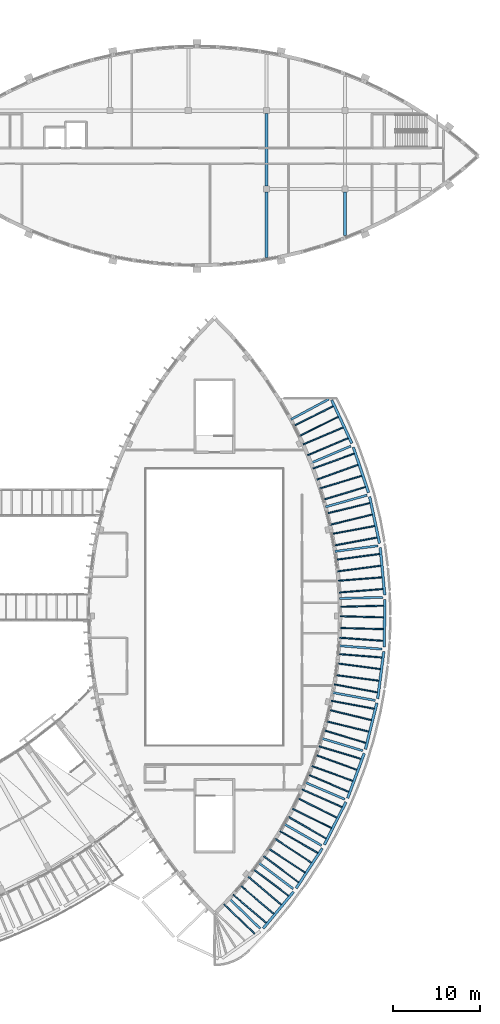
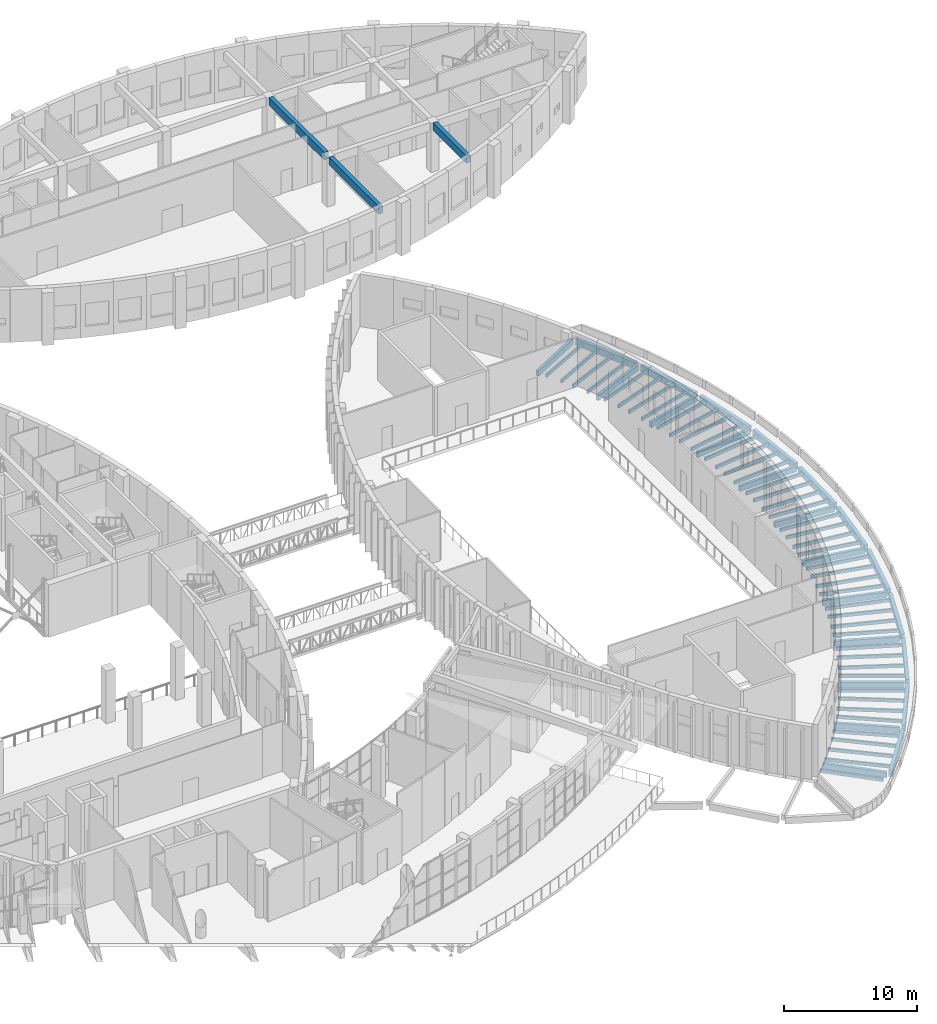
# One storey, part 39 of 93: 71 beams.
"""IFC4 building model written with IfcOpenShell, lengths in metres."""

import ifcopenshell
import ifcopenshell.guid

model = None  # the IFC model being written
_history = None  # IfcOwnerHistory: only IFC2X3 demands one
_inside = {}  # id of a spatial element -> (the spatial element, [elements in it])
_under = {}  # id of a project, library or spatial element -> (it, [spatial elements below it])
_declared = {}  # id of a project -> (the project, [libraries it declares])
_typed = {}  # id of a type object -> (the type object, [elements of that type])
_made_of = {}  # id of a material, layer set ... -> (it, [elements and type objects made of it])


def new_model(schema):
    """Start an empty IFC model of exactly this schema.

    Asked for "IFC4X3", IfcOpenShell would pick the latest addendum, in which some entities
    have other attributes; the version numbers below select the first issue.
    IFC2X3 requires an IfcOwnerHistory on every rooted entity: one is made here for all.
    """
    global model, _history
    if schema == "IFC4X3":
        model = ifcopenshell.file(schema_version=(4, 3, 0, 0))
    else:
        model = ifcopenshell.file(schema=schema)
    _inside.clear()
    _under.clear()
    _declared.clear()
    _typed.clear()
    _made_of.clear()
    _history = None
    if model.schema == "IFC2X3":
        org = make("IfcOrganization", Name="unknown")
        user = make(
            "IfcPersonAndOrganization",
            ThePerson=make("IfcPerson", FamilyName="unknown"),
            TheOrganization=org,
        )
        app = make(
            "IfcApplication",
            ApplicationDeveloper=org,
            Version="unknown",
            ApplicationFullName="unknown",
            ApplicationIdentifier="unknown",
        )
        _history = make(
            "IfcOwnerHistory",
            OwningUser=user,
            OwningApplication=app,
            ChangeAction="ADDED",
            CreationDate=0,
        )
    return model


def make(cls, **values):
    """One entity of the class cls with the attributes given. An attribute that is None is left unset."""
    return model.create_entity(
        cls, **{name: value for name, value in values.items() if value is not None}
    )


def rooted(cls, **values):
    """An entity with a GlobalId (a new one), such as an element, a storey or a relation."""
    return make(cls, GlobalId=ifcopenshell.guid.new(), OwnerHistory=_history, **values)


def si_unit(unit_type, name, prefix=None):
    """IfcSIUnit, for example si_unit("LENGTHUNIT", "METRE", prefix="MILLI")."""
    return make("IfcSIUnit", UnitType=unit_type, Prefix=prefix, Name=name)


def assignment(units):
    """IfcUnitAssignment: the units of a project."""
    return None if units is None else make("IfcUnitAssignment", Units=units)


def point(xyz):
    """IfcCartesianPoint."""
    return None if xyz is None else make("IfcCartesianPoint", Coordinates=xyz)


def direction(xyz):
    """IfcDirection."""
    return None if xyz is None else make("IfcDirection", DirectionRatios=xyz)


def frame(location, z_axis=None, x_axis=None):
    """IfcAxis2Placement3D, a coordinate frame: its origin and axes. An axis left out is left unset."""
    return make(
        "IfcAxis2Placement3D",
        Location=point(location),
        Axis=direction(z_axis),
        RefDirection=direction(x_axis),
    )


def frame_2d(location, x_axis=None):
    """IfcAxis2Placement2D, a coordinate frame in the plane: its origin and x axis."""
    return make(
        "IfcAxis2Placement2D", Location=point(location), RefDirection=direction(x_axis)
    )


def origin():
    """The frame at (0, 0, 0) with its axes left unset."""
    return frame((0.0, 0.0, 0.0))


def origin_2d():
    """The frame at (0, 0) in the plane with its x axis left unset."""
    return frame_2d((0.0, 0.0))


def place(relative_to, where):
    """IfcLocalPlacement: puts the frame where relative to a parent placement (None: the world)."""
    return make(
        "IfcLocalPlacement", PlacementRelTo=relative_to, RelativePlacement=where
    )


def context(
    kind, dimensions, precision=None, world=None, true_north=None, identifier=None
):
    """IfcGeometricRepresentationContext, for example the 3D "Model" context."""
    return make(
        "IfcGeometricRepresentationContext",
        ContextIdentifier=identifier,
        ContextType=kind,
        CoordinateSpaceDimension=dimensions,
        Precision=precision,
        WorldCoordinateSystem=world,
        TrueNorth=true_north,
    )


def subcontext(parent, identifier, kind, view, scale=None):
    """IfcGeometricRepresentationSubContext, for example "Body" below "Model"."""
    return make(
        "IfcGeometricRepresentationSubContext",
        ContextIdentifier=identifier,
        ContextType=kind,
        ParentContext=parent,
        TargetScale=scale,
        TargetView=view,
    )


def project(units=None, contexts=None):
    """IfcProject with its units and contexts."""
    return rooted(
        "IfcProject",
        Name="project",
        RepresentationContexts=contexts,
        UnitsInContext=assignment(units),
    )


def spatial(cls, under=None, at=None, **own):
    """A site, building, storey or space (cls), placed at a placement, below another one or the project."""
    s = rooted(cls, ObjectPlacement=at, **own)
    if under is not None:
        _under.setdefault(under.id(), (under, []))[1].append(s)
    return s


def profile(cls, at=None, kind="AREA", **sizes):
    """A parametric profile (cls). Its sizes go by their IFC names, for example OverallWidth=200.0."""
    return make(cls, ProfileType=kind, Position=at, **sizes)


def rectangle(**sizes):
    """IfcRectangleProfileDef."""
    return profile("IfcRectangleProfileDef", **sizes)


def extrude(swept, where, along, depth):
    """IfcExtrudedAreaSolid: the profile swept, set in the frame where, extruded along a direction by depth."""
    return make(
        "IfcExtrudedAreaSolid",
        SweptArea=swept,
        Position=where,
        ExtrudedDirection=direction(along),
        Depth=depth,
    )


def shape(context_of_items, identifier, shape_type, items):
    """IfcShapeRepresentation: the items that make up one representation, for example the "Body"."""
    return make(
        "IfcShapeRepresentation",
        ContextOfItems=context_of_items,
        RepresentationIdentifier=identifier,
        RepresentationType=shape_type,
        Items=items,
    )


def material(Name=None, Category=None):
    """IfcMaterial."""
    return make("IfcMaterial", Name=Name, Category=Category)


def material_profile(
    of_material, cross_section, Name=None, Category=None, Priority=None
):
    """IfcMaterialProfile: a cross section and its material."""
    return make(
        "IfcMaterialProfile",
        Name=Name,
        Material=of_material,
        Profile=cross_section,
        Priority=Priority,
        Category=Category,
    )


def profile_set(profiles, Name=None, composite=None):
    """IfcMaterialProfileSet."""
    return make(
        "IfcMaterialProfileSet",
        Name=Name,
        MaterialProfiles=profiles,
        CompositeProfile=composite,
    )


def made_of(thing, what):
    """Note that an element or type object is made of a material, layer set ...; save() writes the relation."""
    if what is not None:
        _made_of.setdefault(what.id(), (what, []))[1].append(thing)
    return thing


def type_object(cls, material=None, **own):
    """A type object (cls), such as IfcWallType, which elements share."""
    return made_of(rooted(cls, **own), material)


def element(
    cls,
    number,
    at=None,
    inside=None,
    cuts=None,
    type_object=None,
    material=None,
    context=None,
    identifier="Body",
    shape_type=None,
    held_by="IfcProductDefinitionShape",
    body=None,
    shapes=None,
    **own,
):
    """One element of the class cls, such as IfcWall. Its Tag is "e" and its number.

    at: its placement. inside: the storey or other place that contains it. cuts: it is an
    opening in that element (IfcRelVoidsElement). A single representation is given by context,
    identifier, shape_type and body (its items); several are given by shapes. held_by: the class
    of the entity that holds the representations. save() writes the other relations.
    """
    e = rooted(cls, Tag="e%d" % number, ObjectPlacement=at, **own)
    if body is not None:
        shapes = [shape(context, identifier, shape_type, body)]
    if shapes is not None:
        e.Representation = make(held_by, Representations=shapes)
    if inside is not None:
        _inside.setdefault(inside.id(), (inside, []))[1].append(e)
    if cuts is not None:
        rooted(
            "IfcRelVoidsElement", RelatingBuildingElement=cuts, RelatedOpeningElement=e
        )
    if type_object is not None:
        _typed.setdefault(type_object.id(), (type_object, []))[1].append(e)
    return made_of(e, material)


def aggregate(whole, parts):
    """IfcRelAggregates: a whole, such as a stair, and the parts it consists of."""
    return rooted("IfcRelAggregates", RelatingObject=whole, RelatedObjects=parts)


def save(model, path):
    """Write the relations noted so far, then the file.

    IfcRelAggregates (storeys below a building ...), IfcRelContainedInSpatialStructure (elements
    in a storey), IfcRelDefinesByType, IfcRelAssociatesMaterial and IfcRelDeclares: one each for
    every whole, place, type object, material and project.
    """
    for whole, parts in _under.values():
        aggregate(whole, parts)
    for where, things in _inside.values():
        rooted(
            "IfcRelContainedInSpatialStructure",
            RelatedElements=things,
            RelatingStructure=where,
        )
    for kind, things in _typed.values():
        rooted("IfcRelDefinesByType", RelatedObjects=things, RelatingType=kind)
    for what, things in _made_of.values():
        rooted("IfcRelAssociatesMaterial", RelatedObjects=things, RelatingMaterial=what)
    for by, libraries in _declared.values():
        rooted("IfcRelDeclares", RelatingContext=by, RelatedDefinitions=libraries)
    model.write(path)


model = new_model("IFC4")

# Units and contexts
model_context = context("Model", 3, precision=1e-05, world=origin(), true_north=direction((0.0, 1.0)))
body_context = subcontext(model_context, "Body", "Model", "MODEL_VIEW")
ifc_project = project(units=[si_unit("LENGTHUNIT", "METRE"), si_unit("AREAUNIT", "SQUARE_METRE"), si_unit("VOLUMEUNIT", "CUBIC_METRE"), si_unit("PLANEANGLEUNIT", "RADIAN"), si_unit("MASSUNIT", "GRAM", prefix="KILO")], contexts=[model_context])

# Site, building, storey
site_placement = place(None, origin())
site = spatial("IfcSite", under=ifc_project, at=site_placement, CompositionType="ELEMENT")
building_placement = place(site_placement, origin())
building = spatial("IfcBuilding", under=site, at=building_placement, Name="Tide Square Theatres", CompositionType="ELEMENT")
storey_placement = place(building_placement, frame((0.0, 0.0, 5.39990234375)))
storey = spatial("IfcBuildingStorey", under=building, at=storey_placement, Name="L01", CompositionType="ELEMENT", Elevation=5.39990234375)

# Beams
ifc_material_1 = material(Name="Concrete C35", Category="concrete")
ifc_material_profile_1 = material_profile(ifc_material_1, rectangle(XDim=0.14990234375, YDim=0.300048828125, at=origin_2d()))
ifc_profile_set_1 = profile_set([ifc_material_profile_1], Name="Concrete C35")
beam_type_1 = type_object("IfcBeamType", Name="RC arcade roof rib 150 x 300", PredefinedType="JOIST", material=ifc_profile_set_1)
beam_1_placement = place(storey_placement, frame((136.60400390625, 8.51318359375, -0.349853515625), z_axis=(-0.717715039572, 0.696336931357, 0.0), x_axis=(-0.696336931357, -0.717715039572, 0.0)))
element("IfcBeam", 1, at=beam_1_placement, inside=storey, type_object=beam_type_1, Name="Arcade roof rib", PredefinedType="JOIST", context=body_context, shape_type="SweptSolid", body=[
    extrude(rectangle(XDim=0.14990234375, YDim=0.300048828125, at=origin_2d()), origin(), (0.0, 0.0, 1.0), 4.8876953125),
])
beam_2_placement = place(storey_placement, frame((137.9365234375, 9.762451171875, -0.349853515625), z_axis=(-0.760416878681, 0.649435270537, 0.0), x_axis=(-0.649435270537, -0.760416878681, 0.0)))
element("IfcBeam", 2, at=beam_2_placement, inside=storey, type_object=beam_type_1, Name="Arcade roof rib", PredefinedType="JOIST", context=body_context, shape_type="SweptSolid", body=[
    extrude(rectangle(XDim=0.14990234375, YDim=0.300048828125, at=origin_2d()), origin(), (0.0, 0.0, 1.0), 5.000244140625),
])
beam_3_placement = place(storey_placement, frame((138.796875, 10.802734375, -0.349853515625), z_axis=(-0.760411515732, 0.649441549904, 0.0), x_axis=(-0.649441549904, -0.760411515732, 0.0)))
element("IfcBeam", 3, at=beam_3_placement, inside=storey, type_object=beam_type_1, Name="Arcade roof rib", PredefinedType="JOIST", context=body_context, shape_type="SweptSolid", body=[
    extrude(rectangle(XDim=0.14990234375, YDim=0.300048828125, at=origin_2d()), origin(), (0.0, 0.0, 1.0), 4.978759765625),
])
beam_4_placement = place(storey_placement, frame((139.6572265625, 11.843017578125, -0.349853515625), z_axis=(-0.760406106264, 0.649447883634, 0.0), x_axis=(-0.649447883634, -0.760406106264, 0.0)))
element("IfcBeam", 4, at=beam_4_placement, inside=storey, type_object=beam_type_1, Name="Arcade roof rib", PredefinedType="JOIST", context=body_context, shape_type="SweptSolid", body=[
    extrude(rectangle(XDim=0.14990234375, YDim=0.300048828125, at=origin_2d()), origin(), (0.0, 0.0, 1.0), 4.957275390625),
])
beam_5_placement = place(storey_placement, frame((140.511962890625, 12.8759765625, -0.349853515625), z_axis=(-0.799426037712, 0.600764521446, 0.0), x_axis=(-0.600764521446, -0.799426037712, 0.0)))
element("IfcBeam", 5, at=beam_5_placement, inside=storey, type_object=beam_type_1, Name="Arcade roof rib", PredefinedType="JOIST", context=body_context, shape_type="SweptSolid", body=[
    extrude(rectangle(XDim=0.14990234375, YDim=0.300048828125, at=origin_2d()), origin(), (0.0, 0.0, 1.0), 5.00537109375),
])
beam_6_placement = place(storey_placement, frame((141.6494140625, 14.4189453125, -0.349853515625), z_axis=(-0.79943575373, 0.600751592305, 0.0), x_axis=(-0.600751592305, -0.79943575373, 0.0)))
element("IfcBeam", 6, at=beam_6_placement, inside=storey, type_object=beam_type_1, Name="Arcade roof rib", PredefinedType="JOIST", context=body_context, shape_type="SweptSolid", body=[
    extrude(rectangle(XDim=0.14990234375, YDim=0.300048828125, at=origin_2d()), origin(), (0.0, 0.0, 1.0), 4.987548828125),
])
beam_7_placement = place(storey_placement, frame((142.38330078125, 15.541015625, -0.349853515625), z_axis=(-0.83475394029, 0.550623155317, 0.0), x_axis=(-0.550623155317, -0.83475394029, 0.0)))
element("IfcBeam", 7, at=beam_7_placement, inside=storey, type_object=beam_type_1, Name="Arcade roof rib", PredefinedType="JOIST", context=body_context, shape_type="SweptSolid", body=[
    extrude(rectangle(XDim=0.14990234375, YDim=0.300048828125, at=origin_2d()), origin(), (0.0, 0.0, 1.0), 4.968994140625),
])
beam_8_placement = place(storey_placement, frame((143.12255859375, 16.670654296875, -0.349853515625), z_axis=(-0.83474911185, 0.550630475242, 0.0), x_axis=(-0.550630475242, -0.83474911185, 0.0)))
element("IfcBeam", 8, at=beam_8_placement, inside=storey, type_object=beam_type_1, Name="Arcade roof rib", PredefinedType="JOIST", context=body_context, shape_type="SweptSolid", body=[
    extrude(rectangle(XDim=0.14990234375, YDim=0.300048828125, at=origin_2d()), origin(), (0.0, 0.0, 1.0), 4.964111328125),
])
beam_9_placement = place(storey_placement, frame((143.85693359375, 17.79248046875, -0.349853515625), z_axis=(-0.866931648705, 0.498427042278, 0.0), x_axis=(-0.498427042278, -0.866931648705, 0.0)))
element("IfcBeam", 9, at=beam_9_placement, inside=storey, type_object=beam_type_1, Name="Arcade roof rib", PredefinedType="JOIST", context=body_context, shape_type="SweptSolid", body=[
    extrude(rectangle(XDim=0.14990234375, YDim=0.300048828125, at=origin_2d()), origin(), (0.0, 0.0, 1.0), 4.99462890625),
])
beam_10_placement = place(storey_placement, frame((144.8154296875, 19.4521484375, -0.349853515625), z_axis=(-0.866920549635, 0.498446346782, 0.0), x_axis=(-0.498446346782, -0.866920549635, 0.0)))
element("IfcBeam", 10, at=beam_10_placement, inside=storey, type_object=beam_type_1, Name="Arcade roof rib", PredefinedType="JOIST", context=body_context, shape_type="SweptSolid", body=[
    extrude(rectangle(XDim=0.14990234375, YDim=0.300048828125, at=origin_2d()), origin(), (0.0, 0.0, 1.0), 4.99853515625),
])
beam_11_placement = place(storey_placement, frame((145.420166015625, 20.64892578125, -0.349853515625), z_axis=(-0.895859099745, 0.444338242114, 0.0), x_axis=(-0.444338242114, -0.895859099745, 0.0)))
element("IfcBeam", 11, at=beam_11_placement, inside=storey, type_object=beam_type_1, Name="Arcade roof rib", PredefinedType="JOIST", context=body_context, shape_type="SweptSolid", body=[
    extrude(rectangle(XDim=0.14990234375, YDim=0.300048828125, at=origin_2d()), origin(), (0.0, 0.0, 1.0), 4.962646484375),
])
beam_12_placement = place(storey_placement, frame((146.029296875, 21.853759765625, -0.349853515625), z_axis=(-0.895856122765, 0.444344244144, 0.0), x_axis=(-0.444344244144, -0.895856122765, 0.0)))
element("IfcBeam", 12, at=beam_12_placement, inside=storey, type_object=beam_type_1, Name="Arcade roof rib", PredefinedType="JOIST", context=body_context, shape_type="SweptSolid", body=[
    extrude(rectangle(XDim=0.14990234375, YDim=0.300048828125, at=origin_2d()), origin(), (0.0, 0.0, 1.0), 4.972900390625),
])
beam_13_placement = place(storey_placement, frame((146.6357421875, 23.052978515625, -0.349853515625), z_axis=(-0.913362894479, 0.407146439243, 0.0), x_axis=(-0.407146439243, -0.913362894479, 0.0)))
element("IfcBeam", 13, at=beam_13_placement, inside=storey, type_object=beam_type_1, Name="Arcade roof rib", PredefinedType="JOIST", context=body_context, shape_type="SweptSolid", body=[
    extrude(rectangle(XDim=0.14990234375, YDim=0.300048828125, at=origin_2d()), origin(), (0.0, 0.0, 1.0), 4.98779296875),
])
beam_14_placement = place(storey_placement, frame((147.400634765625, 24.8076171875, -0.349853515625), z_axis=(-0.920156505736, 0.391550769316, 0.0), x_axis=(-0.391550769316, -0.920156505736, 0.0)))
element("IfcBeam", 14, at=beam_14_placement, inside=storey, type_object=beam_type_1, Name="Arcade roof rib", PredefinedType="JOIST", context=body_context, shape_type="SweptSolid", body=[
    extrude(rectangle(XDim=0.14990234375, YDim=0.300048828125, at=origin_2d()), origin(), (0.0, 0.0, 1.0), 5.003662109375),
])
beam_15_placement = place(storey_placement, frame((147.86572265625, 26.066162109375, -0.349853515625), z_axis=(-0.940288118149, 0.340379574693, 0.0), x_axis=(-0.340379574693, -0.940288118149, 0.0)))
element("IfcBeam", 15, at=beam_15_placement, inside=storey, type_object=beam_type_1, Name="Arcade roof rib", PredefinedType="JOIST", context=body_context, shape_type="SweptSolid", body=[
    extrude(rectangle(XDim=0.14990234375, YDim=0.300048828125, at=origin_2d()), origin(), (0.0, 0.0, 1.0), 4.961181640625),
])
beam_16_placement = place(storey_placement, frame((148.333984375, 27.33251953125, -0.349853515625), z_axis=(-0.940288618345, 0.340378192913, 0.0), x_axis=(-0.340378192913, -0.940288618345, 0.0)))
element("IfcBeam", 16, at=beam_16_placement, inside=storey, type_object=beam_type_1, Name="Arcade roof rib", PredefinedType="JOIST", context=body_context, shape_type="SweptSolid", body=[
    extrude(rectangle(XDim=0.14990234375, YDim=0.300048828125, at=origin_2d()), origin(), (0.0, 0.0, 1.0), 4.970703125),
])
beam_17_placement = place(storey_placement, frame((148.79931640625, 28.5908203125, -0.349853515625), z_axis=(-0.95755928166, 0.28823639969, 0.0), x_axis=(-0.28823639969, -0.95755928166, 0.0)))
element("IfcBeam", 17, at=beam_17_placement, inside=storey, type_object=beam_type_1, Name="Arcade roof rib", PredefinedType="JOIST", context=body_context, shape_type="SweptSolid", body=[
    extrude(rectangle(XDim=0.14990234375, YDim=0.300048828125, at=origin_2d()), origin(), (0.0, 0.0, 1.0), 4.99072265625),
])
beam_18_placement = place(storey_placement, frame((149.362060546875, 30.42333984375, -0.349853515625), z_axis=(-0.957567937614, 0.288207641908, 0.0), x_axis=(-0.288207641908, -0.957567937614, 0.0)))
element("IfcBeam", 18, at=beam_18_placement, inside=storey, type_object=beam_type_1, Name="Arcade roof rib", PredefinedType="JOIST", context=body_context, shape_type="SweptSolid", body=[
    extrude(rectangle(XDim=0.14990234375, YDim=0.300048828125, at=origin_2d()), origin(), (0.0, 0.0, 1.0), 5.001220703125),
])
beam_19_placement = place(storey_placement, frame((149.68310546875, 31.726318359375, -0.349853515625), z_axis=(-0.971971464458, 0.235098856397, 0.0), x_axis=(-0.235098856397, -0.971971464458, 0.0)))
element("IfcBeam", 19, at=beam_19_placement, inside=storey, type_object=beam_type_1, Name="Arcade roof rib", PredefinedType="JOIST", context=body_context, shape_type="SweptSolid", body=[
    extrude(rectangle(XDim=0.14990234375, YDim=0.300048828125, at=origin_2d()), origin(), (0.0, 0.0, 1.0), 4.9638671875),
])
beam_20_placement = place(storey_placement, frame((150.006103515625, 33.037109375, -0.349853515625), z_axis=(-0.971966560818, 0.235119128637, 0.0), x_axis=(-0.235119128637, -0.971966560818, 0.0)))
element("IfcBeam", 20, at=beam_20_placement, inside=storey, type_object=beam_type_1, Name="Arcade roof rib", PredefinedType="JOIST", context=body_context, shape_type="SweptSolid", body=[
    extrude(rectangle(XDim=0.14990234375, YDim=0.300048828125, at=origin_2d()), origin(), (0.0, 0.0, 1.0), 4.9697265625),
])
beam_21_placement = place(storey_placement, frame((150.327392578125, 34.33984375, -0.349853515625), z_axis=(-0.983180711345, 0.182635398647, 0.0), x_axis=(-0.182635398647, -0.983180711345, 0.0)))
element("IfcBeam", 21, at=beam_21_placement, inside=storey, type_object=beam_type_1, Name="Arcade roof rib", PredefinedType="JOIST", context=body_context, shape_type="SweptSolid", body=[
    extrude(rectangle(XDim=0.14990234375, YDim=0.300048828125, at=origin_2d()), origin(), (0.0, 0.0, 1.0), 4.994140625),
])
beam_22_placement = place(storey_placement, frame((150.680908203125, 36.22412109375, -0.349853515625), z_axis=(-0.983185979693, 0.182607035282, 0.0), x_axis=(-0.182607035282, -0.983185979693, 0.0)))
element("IfcBeam", 22, at=beam_22_placement, inside=storey, type_object=beam_type_1, Name="Arcade roof rib", PredefinedType="JOIST", context=body_context, shape_type="SweptSolid", body=[
    extrude(rectangle(XDim=0.14990234375, YDim=0.300048828125, at=origin_2d()), origin(), (0.0, 0.0, 1.0), 4.99755859375),
])
beam_23_placement = place(storey_placement, frame((150.853271484375, 37.55517578125, -0.349853515625), z_axis=(-0.991411922717, 0.130776142683, 0.0), x_axis=(-0.130776142683, -0.991411922717, 0.0)))
element("IfcBeam", 23, at=beam_23_placement, inside=storey, type_object=beam_type_1, Name="Arcade roof rib", PredefinedType="JOIST", context=body_context, shape_type="SweptSolid", body=[
    extrude(rectangle(XDim=0.14990234375, YDim=0.300048828125, at=origin_2d()), origin(), (0.0, 0.0, 1.0), 4.9677734375),
])
beam_24_placement = place(storey_placement, frame((151.02685546875, 38.893798828125, -0.349853515625), z_axis=(-0.991408205912, 0.130804316637, 0.0), x_axis=(-0.130804316637, -0.991408205912, 0.0)))
element("IfcBeam", 24, at=beam_24_placement, inside=storey, type_object=beam_type_1, Name="Arcade roof rib", PredefinedType="JOIST", context=body_context, shape_type="SweptSolid", body=[
    extrude(rectangle(XDim=0.14990234375, YDim=0.300048828125, at=origin_2d()), origin(), (0.0, 0.0, 1.0), 4.96484375),
])
beam_25_placement = place(storey_placement, frame((151.19970703125, 40.224853515625, -0.349853515625), z_axis=(-0.996903588311, 0.078633552721, 0.0), x_axis=(-0.078633552721, -0.996903588311, 0.0)))
element("IfcBeam", 25, at=beam_25_placement, inside=storey, type_object=beam_type_1, Name="Arcade roof rib", PredefinedType="JOIST", context=body_context, shape_type="SweptSolid", body=[
    extrude(rectangle(XDim=0.14990234375, YDim=0.300048828125, at=origin_2d()), origin(), (0.0, 0.0, 1.0), 5.001708984375),
])
beam_26_placement = place(storey_placement, frame((151.339111328125, 42.135986328125, -0.349853515625), z_axis=(-0.997435553085, 0.071570367069, 0.0), x_axis=(-0.071570367069, -0.997435553085, 0.0)))
element("IfcBeam", 26, at=beam_26_placement, inside=storey, type_object=beam_type_1, Name="Arcade roof rib", PredefinedType="JOIST", context=body_context, shape_type="SweptSolid", body=[
    extrude(rectangle(XDim=0.14990234375, YDim=0.300048828125, at=origin_2d()), origin(), (0.0, 0.0, 1.0), 4.990478515625),
])
beam_27_placement = place(storey_placement, frame((151.361572265625, 43.47900390625, -0.349853515625), z_axis=(-0.999656293534, 0.026216307865, 0.0), x_axis=(-0.026216307865, -0.999656293534, 0.0)))
element("IfcBeam", 27, at=beam_27_placement, inside=storey, type_object=beam_type_1, Name="Arcade roof rib", PredefinedType="JOIST", context=body_context, shape_type="SweptSolid", body=[
    extrude(rectangle(XDim=0.14990234375, YDim=0.300048828125, at=origin_2d()), origin(), (0.0, 0.0, 1.0), 4.972900390625),
])
beam_28_placement = place(storey_placement, frame((151.384033203125, 44.82861328125, -0.349853515625), z_axis=(-0.999655756449, 0.026236779505, 0.0), x_axis=(-0.026236779505, -0.999655756449, 0.0)))
element("IfcBeam", 28, at=beam_28_placement, inside=storey, type_object=beam_type_1, Name="Arcade roof rib", PredefinedType="JOIST", context=body_context, shape_type="SweptSolid", body=[
    extrude(rectangle(XDim=0.14990234375, YDim=0.300048828125, at=origin_2d()), origin(), (0.0, 0.0, 1.0), 4.959716796875),
])
beam_29_placement = place(storey_placement, frame((151.40673828125, 46.170654296875, -0.349853515625), z_axis=(-0.999656074921, -0.026224642496, 0.0), x_axis=(0.026224642496, -0.999656074921, 0.0)))
element("IfcBeam", 29, at=beam_29_placement, inside=storey, type_object=beam_type_1, Name="Arcade roof rib", PredefinedType="JOIST", context=body_context, shape_type="SweptSolid", body=[
    extrude(rectangle(XDim=0.14990234375, YDim=0.300048828125, at=origin_2d()), origin(), (0.0, 0.0, 1.0), 5.008544921875),
])
beam_30_placement = place(storey_placement, frame((151.331787109375, 48.078857421875, -0.349853515625), z_axis=(-0.996905302271, -0.078611820378, 0.0), x_axis=(0.078611820378, -0.996905302271, 0.0)))
element("IfcBeam", 30, at=beam_30_placement, inside=storey, type_object=beam_type_1, Name="Arcade roof rib", PredefinedType="JOIST", context=body_context, shape_type="SweptSolid", body=[
    extrude(rectangle(XDim=0.14990234375, YDim=0.300048828125, at=origin_2d()), origin(), (0.0, 0.0, 1.0), 5.0),
])
beam_31_placement = place(storey_placement, frame((151.203125, 49.422607421875, -0.349853515625), z_axis=(-0.996908166282, -0.078575492368, 0.0), x_axis=(0.078575492368, -0.996908166282, 0.0)))
element("IfcBeam", 31, at=beam_31_placement, inside=storey, type_object=beam_type_1, Name="Arcade roof rib", PredefinedType="JOIST", context=body_context, shape_type="SweptSolid", body=[
    extrude(rectangle(XDim=0.14990234375, YDim=0.300048828125, at=origin_2d()), origin(), (0.0, 0.0, 1.0), 4.9775390625),
])
beam_32_placement = place(storey_placement, frame((151.0751953125, 50.7587890625, -0.349853515625), z_axis=(-0.991410241459, -0.130788887637, 0.0), x_axis=(0.130788887637, -0.991410241459, 0.0)))
element("IfcBeam", 32, at=beam_32_placement, inside=storey, type_object=beam_type_1, Name="Arcade roof rib", PredefinedType="JOIST", context=body_context, shape_type="SweptSolid", body=[
    extrude(rectangle(XDim=0.14990234375, YDim=0.300048828125, at=origin_2d()), origin(), (0.0, 0.0, 1.0), 4.96728515625),
])
beam_33_placement = place(storey_placement, frame((150.94677734375, 52.1025390625, -0.349853515625), z_axis=(-0.991410169806, -0.130789430787, 0.0), x_axis=(0.130789430787, -0.991410169806, 0.0)))
element("IfcBeam", 33, at=beam_33_placement, inside=storey, type_object=beam_type_1, Name="Arcade roof rib", PredefinedType="JOIST", context=body_context, shape_type="SweptSolid", body=[
    extrude(rectangle(XDim=0.14990234375, YDim=0.300048828125, at=origin_2d()), origin(), (0.0, 0.0, 1.0), 5.015625),
])
beam_34_placement = place(storey_placement, frame((150.656982421875, 53.99072265625, -0.349853515625), z_axis=(-0.983184989236, -0.182612367986, 0.0), x_axis=(0.182612367986, -0.983184989236, 0.0)))
element("IfcBeam", 34, at=beam_34_placement, inside=storey, type_object=beam_type_1, Name="Arcade roof rib", PredefinedType="JOIST", context=body_context, shape_type="SweptSolid", body=[
    extrude(rectangle(XDim=0.14990234375, YDim=0.300048828125, at=origin_2d()), origin(), (0.0, 0.0, 1.0), 5.013427734375),
])
beam_35_placement = place(storey_placement, frame((150.376953125, 55.311279296875, -0.349853515625), z_axis=(-0.983188233082, -0.182594902254, 0.0), x_axis=(0.182594902254, -0.983188233082, 0.0)))
element("IfcBeam", 35, at=beam_35_placement, inside=storey, type_object=beam_type_1, Name="Arcade roof rib", PredefinedType="JOIST", context=body_context, shape_type="SweptSolid", body=[
    extrude(rectangle(XDim=0.14990234375, YDim=0.300048828125, at=origin_2d()), origin(), (0.0, 0.0, 1.0), 4.979248046875),
])
beam_36_placement = place(storey_placement, frame((150.098388671875, 56.6240234375, -0.349853515625), z_axis=(-0.971960219968, -0.235145339738, 0.0), x_axis=(0.235145339738, -0.971960219968, 0.0)))
element("IfcBeam", 36, at=beam_36_placement, inside=storey, type_object=beam_type_1, Name="Arcade roof rib", PredefinedType="JOIST", context=body_context, shape_type="SweptSolid", body=[
    extrude(rectangle(XDim=0.14990234375, YDim=0.300048828125, at=origin_2d()), origin(), (0.0, 0.0, 1.0), 4.9794921875),
])
beam_37_placement = place(storey_placement, frame((149.818115234375, 57.944580078125, -0.349853515625), z_axis=(-0.971968817821, -0.235109798143, 0.0), x_axis=(0.235109798143, -0.971968817821, 0.0)))
element("IfcBeam", 37, at=beam_37_placement, inside=storey, type_object=beam_type_1, Name="Arcade roof rib", PredefinedType="JOIST", context=body_context, shape_type="SweptSolid", body=[
    extrude(rectangle(XDim=0.14990234375, YDim=0.300048828125, at=origin_2d()), origin(), (0.0, 0.0, 1.0), 5.017578125),
])
beam_38_placement = place(storey_placement, frame((149.316650390625, 59.787841796875, -0.349853515625), z_axis=(-0.957578241173, -0.288173406183, 0.0), x_axis=(0.288173406183, -0.957578241173, 0.0)))
element("IfcBeam", 38, at=beam_38_placement, inside=storey, type_object=beam_type_1, Name="Arcade roof rib", PredefinedType="JOIST", context=body_context, shape_type="SweptSolid", body=[
    extrude(rectangle(XDim=0.14990234375, YDim=0.300048828125, at=origin_2d()), origin(), (0.0, 0.0, 1.0), 5.018798828125),
])
beam_39_placement = place(storey_placement, frame((148.888916015625, 61.068359375, -0.349853515625), z_axis=(-0.957580278815, -0.288166635169, 0.0), x_axis=(0.288166635169, -0.957580278815, 0.0)))
element("IfcBeam", 39, at=beam_39_placement, inside=storey, type_object=beam_type_1, Name="Arcade roof rib", PredefinedType="JOIST", context=body_context, shape_type="SweptSolid", body=[
    extrude(rectangle(XDim=0.14990234375, YDim=0.300048828125, at=origin_2d()), origin(), (0.0, 0.0, 1.0), 4.978271484375),
])
beam_40_placement = place(storey_placement, frame((148.4638671875, 62.341064453125, -0.349853515625), z_axis=(-0.940291813761, -0.340369365505, 0.0), x_axis=(0.340369365505, -0.940291813761, 0.0)))
element("IfcBeam", 40, at=beam_40_placement, inside=storey, type_object=beam_type_1, Name="Arcade roof rib", PredefinedType="JOIST", context=body_context, shape_type="SweptSolid", body=[
    extrude(rectangle(XDim=0.14990234375, YDim=0.300048828125, at=origin_2d()), origin(), (0.0, 0.0, 1.0), 4.9814453125),
])
beam_41_placement = place(storey_placement, frame((148.0361328125, 63.621337890625, -0.349853515625), z_axis=(-0.940292713492, -0.34036687993, 0.0), x_axis=(0.34036687993, -0.940292713492, 0.0)))
element("IfcBeam", 41, at=beam_41_placement, inside=storey, type_object=beam_type_1, Name="Arcade roof rib", PredefinedType="JOIST", context=body_context, shape_type="SweptSolid", body=[
    extrude(rectangle(XDim=0.14990234375, YDim=0.300048828125, at=origin_2d()), origin(), (0.0, 0.0, 1.0), 5.015380859375),
])
beam_42_placement = place(storey_placement, frame((147.330078125, 65.396484375, -0.349853515625), z_axis=(-0.920178499866, -0.391499078395, 0.0), x_axis=(0.391499078395, -0.920178499866, 0.0)))
element("IfcBeam", 42, at=beam_42_placement, inside=storey, type_object=beam_type_1, Name="Arcade roof rib", PredefinedType="JOIST", context=body_context, shape_type="SweptSolid", body=[
    extrude(rectangle(XDim=0.14990234375, YDim=0.300048828125, at=origin_2d()), origin(), (0.0, 0.0, 1.0), 5.018798828125),
])
beam_43_placement = place(storey_placement, frame((146.761474609375, 66.62109375, -0.349853515625), z_axis=(-0.920157268855, -0.391548975958, 0.0), x_axis=(0.391548975958, -0.920157268855, 0.0)))
element("IfcBeam", 43, at=beam_43_placement, inside=storey, type_object=beam_type_1, Name="Arcade roof rib", PredefinedType="JOIST", context=body_context, shape_type="SweptSolid", body=[
    extrude(rectangle(XDim=0.14990234375, YDim=0.300048828125, at=origin_2d()), origin(), (0.0, 0.0, 1.0), 4.97509765625),
])
beam_44_placement = place(storey_placement, frame((146.196533203125, 67.83740234375, -0.349853515625), z_axis=(-0.895862203927, -0.444331983516, 0.0), x_axis=(0.444331983516, -0.895862203927, 0.0)))
element("IfcBeam", 44, at=beam_44_placement, inside=storey, type_object=beam_type_1, Name="Arcade roof rib", PredefinedType="JOIST", context=body_context, shape_type="SweptSolid", body=[
    extrude(rectangle(XDim=0.14990234375, YDim=0.300048828125, at=origin_2d()), origin(), (0.0, 0.0, 1.0), 4.98583984375),
])
beam_45_placement = place(storey_placement, frame((145.6279296875, 69.06201171875, -0.349853515625), z_axis=(-0.895833044757, -0.444390769393, 0.0), x_axis=(0.444390769393, -0.895833044757, 0.0)))
element("IfcBeam", 45, at=beam_45_placement, inside=storey, type_object=beam_type_1, Name="Arcade roof rib", PredefinedType="JOIST", context=body_context, shape_type="SweptSolid", body=[
    extrude(rectangle(XDim=0.14990234375, YDim=0.300048828125, at=origin_2d()), origin(), (0.0, 0.0, 1.0), 5.020263671875),
])
ifc_material_2 = material(Name="Concrete C35", Category="concrete")
ifc_material_profile_2 = material_profile(ifc_material_2, rectangle(XDim=0.25, YDim=0.5, at=origin_2d()))
ifc_profile_set_2 = profile_set([ifc_material_profile_2], Name="Concrete C35")
beam_type_2 = type_object("IfcBeamType", Name="RC beam 250 x 500", PredefinedType="BEAM", material=ifc_profile_set_2)
for number, where, z_axis, x_axis, name in (
    (46, (137.25927734375, 9.099365234375, -0.449951171875), (-0.717728574475, 0.696322980651, 0.0), (-0.696322980651, -0.717728574475, 0.0), "Arcade slab beam"),
    (47, (141.043701171875, 13.67578125, -0.449951171875), (-0.799407749167, 0.600788856898, 0.0), (-0.600788856898, -0.799407749167, 0.0), "Arcade slab beam"),
):
    element("IfcBeam", number, at=place(storey_placement, frame(where, z_axis=z_axis, x_axis=x_axis)), inside=storey, type_object=beam_type_2, Name=name, PredefinedType="BEAM", context=body_context, shape_type="SweptSolid", body=[
        extrude(rectangle(XDim=0.25, YDim=0.5, at=origin_2d()), origin(), (0.0, 0.0, 1.0), 4.949951171875),
    ])
for number, where, z_axis, x_axis, name in (
    (48, (144.2958984375, 18.6455078125, -0.449951171875), (-0.866956383698, 0.498384017366, 0.0), (-0.498384017366, -0.866956383698, 0.0), "Arcade slab beam"),
    (49, (146.975830078125, 23.9462890625, -0.449951171875), (-0.920157282122, 0.39154894478, 0.0), (-0.39154894478, -0.920157282122, 0.0), "Arcade slab beam"),
):
    element("IfcBeam", number, at=place(storey_placement, frame(where, z_axis=z_axis, x_axis=x_axis)), inside=storey, type_object=beam_type_2, Name=name, PredefinedType="BEAM", context=body_context, shape_type="SweptSolid", body=[
        extrude(rectangle(XDim=0.25, YDim=0.5, at=origin_2d()), origin(), (0.0, 0.0, 1.0), 4.9501953125),
    ])
for number, where, z_axis, x_axis, name in (
    (50, (149.03662109375, 29.52001953125, -0.449951171875), (-0.957561176037, 0.288230106246, 0.0), (-0.288230106246, -0.957561176037, 0.0), "Arcade slab beam"),
    (51, (150.458984375, 35.290283203125, -0.449951171875), (-0.98318898906, 0.182590831619, 0.0), (-0.182590831619, -0.98318898906, 0.0), "Arcade slab beam"),
    (52, (151.223388671875, 41.184814453125, -0.449951171875), (-0.996904662719, 0.078619930357, 0.0), (-0.078619930357, -0.996904662719, 0.0), "Arcade slab beam"),
):
    element("IfcBeam", number, at=place(storey_placement, frame(where, z_axis=z_axis, x_axis=x_axis)), inside=storey, type_object=beam_type_2, Name=name, PredefinedType="BEAM", context=body_context, shape_type="SweptSolid", body=[
        extrude(rectangle(XDim=0.25, YDim=0.5, at=origin_2d()), origin(), (0.0, 0.0, 1.0), 4.949951171875),
    ])
beam_46_placement = place(storey_placement, frame((151.322998046875, 47.1279296875, -0.449951171875), z_axis=(-0.99965701832, -0.026188656408, 0.0), x_axis=(0.026188656408, -0.99965701832, 0.0)))
element("IfcBeam", 53, at=beam_46_placement, inside=storey, type_object=beam_type_2, Name="Arcade slab beam", PredefinedType="BEAM", context=body_context, shape_type="SweptSolid", body=[
    extrude(rectangle(XDim=0.25, YDim=0.5, at=origin_2d()), origin(), (0.0, 0.0, 1.0), 4.9501953125),
])
beam_47_placement = place(storey_placement, frame((150.756103515625, 53.045654296875, -0.449951171875), z_axis=(-0.991408741416, -0.13080025781, 0.0), x_axis=(0.13080025781, -0.991408741416, 0.0)))
element("IfcBeam", 54, at=beam_47_placement, inside=storey, type_object=beam_type_2, Name="Arcade slab beam", PredefinedType="BEAM", context=body_context, shape_type="SweptSolid", body=[
    extrude(rectangle(XDim=0.25, YDim=0.5, at=origin_2d()), origin(), (0.0, 0.0, 1.0), 4.949951171875),
])
beam_48_placement = place(storey_placement, frame((149.52392578125, 58.85205078125, -0.449951171875), z_axis=(-0.962644108358, -0.270769866571, 0.0), x_axis=(0.270769866571, -0.962644108358, 0.0)))
element("IfcBeam", 55, at=beam_48_placement, inside=storey, type_object=beam_type_2, Name="Arcade slab beam", PredefinedType="BEAM", context=body_context, shape_type="SweptSolid", body=[
    extrude(rectangle(XDim=0.25, YDim=0.5, at=origin_2d()), origin(), (0.0, 0.0, 1.0), 4.9482421875),
])
beam_49_placement = place(storey_placement, frame((147.642822265625, 64.48583984375, -0.449951171875), z_axis=(-0.920175050738, -0.391507185119, 0.0), x_axis=(0.391507185119, -0.920175050738, 0.0)))
element("IfcBeam", 56, at=beam_49_placement, inside=storey, type_object=beam_type_2, Name="Arcade slab beam", PredefinedType="BEAM", context=body_context, shape_type="SweptSolid", body=[
    extrude(rectangle(XDim=0.25, YDim=0.5, at=origin_2d()), origin(), (0.0, 0.0, 1.0), 4.949951171875),
])
beam_50_placement = place(storey_placement, frame((145.137451171875, 69.8818359375, -0.449951171875), z_axis=(-0.881219427369, -0.472707436822, 0.0), x_axis=(0.472707436822, -0.881219427369, 0.0)))
element("IfcBeam", 57, at=beam_50_placement, inside=storey, type_object=beam_type_2, Name="Arcade slab beam", PredefinedType="BEAM", context=body_context, shape_type="SweptSolid", body=[
    extrude(rectangle(XDim=0.25, YDim=0.5, at=origin_2d()), origin(), (0.0, 0.0, 1.0), 4.94775390625),
])
ifc_material_3 = material(Name="Concrete C35", Category="concrete")
ifc_material_profile_3 = material_profile(ifc_material_3, rectangle(XDim=0.300048828125, YDim=0.60009765625, at=origin_2d()))
ifc_profile_set_3 = profile_set([ifc_material_profile_3], Name="Concrete C35")
beam_type_3 = type_object("IfcBeamType", Name="RC beam 300 x 600", PredefinedType="BEAM", material=ifc_profile_set_3)
beam_51_placement = place(storey_placement, frame((137.597900390625, 9.117919921875, -0.5), z_axis=(0.63737496512, 0.770553796849, 0.0), x_axis=(-0.770553796849, 0.63737496512, 0.0)))
element("IfcBeam", 58, at=beam_51_placement, inside=storey, type_object=beam_type_3, Name="Colonnade beam", PredefinedType="BEAM", context=body_context, shape_type="SweptSolid", body=[
    extrude(rectangle(XDim=0.300048828125, YDim=0.60009765625, at=origin_2d()), origin(), (0.0, 0.0, 1.0), 5.47021484375),
])
beam_52_placement = place(storey_placement, frame((141.380615234375, 13.73486328125, -0.5), z_axis=(0.547562015035, 0.83676510425, 0.0), x_axis=(-0.83676510425, 0.547562015035, 0.0)))
element("IfcBeam", 59, at=beam_52_placement, inside=storey, type_object=beam_type_3, Name="Colonnade beam", PredefinedType="BEAM", context=body_context, shape_type="SweptSolid", body=[
    extrude(rectangle(XDim=0.300048828125, YDim=0.60009765625, at=origin_2d()), origin(), (0.0, 0.0, 1.0), 5.469482421875),
])
for number, where, z_axis, x_axis, name in (
    (60, (144.625244140625, 18.743896484375, -0.5), (0.451154840515, 0.892445690157, 0.0), (-0.892445690157, 0.451154840515, 0.0), "Colonnade beam"),
    (61, (147.29248046875, 24.0830078125, -0.5), (0.346751727029, 0.937956949866, 0.0), (-0.937956949866, 0.346751727029, 0.0), "Colonnade beam"),
    (62, (149.335693359375, 29.69091796875, -0.5), (0.2393628131, 0.970930195073, 0.0), (-0.970930195073, 0.2393628131, 0.0), "Colonnade beam"),
):
    element("IfcBeam", number, at=place(storey_placement, frame(where, z_axis=z_axis, x_axis=x_axis)), inside=storey, type_object=beam_type_3, Name=name, PredefinedType="BEAM", context=body_context, shape_type="SweptSolid", body=[
        extrude(rectangle(XDim=0.300048828125, YDim=0.60009765625, at=origin_2d()), origin(), (0.0, 0.0, 1.0), 5.469970703125),
    ])
for number, where, z_axis, x_axis, name in (
    (63, (150.737060546875, 35.492431640625, -0.5), (0.128581665138, 0.991698923762, 0.0), (-0.991698923762, 0.128581665138, 0.0), "Colonnade beam"),
    (64, (151.476806640625, 41.4150390625, -0.5), (0.016781103176, 0.999859187374, 0.0), (-0.999859187374, 0.016781103176, 0.0), "Colonnade beam"),
):
    element("IfcBeam", number, at=place(storey_placement, frame(where, z_axis=z_axis, x_axis=x_axis)), inside=storey, type_object=beam_type_3, Name=name, PredefinedType="BEAM", context=body_context, shape_type="SweptSolid", body=[
        extrude(rectangle(XDim=0.300048828125, YDim=0.60009765625, at=origin_2d()), origin(), (0.0, 0.0, 1.0), 5.47021484375),
    ])
beam_53_placement = place(storey_placement, frame((151.549072265625, 47.383544921875, -0.5), z_axis=(-0.095322940566, 0.995446400868, 0.0), x_axis=(-0.995446400868, -0.095322940566, 0.0)))
element("IfcBeam", 65, at=beam_53_placement, inside=storey, type_object=beam_type_3, Name="Colonnade beam", PredefinedType="BEAM", context=body_context, shape_type="SweptSolid", body=[
    extrude(rectangle(XDim=0.300048828125, YDim=0.60009765625, at=origin_2d()), origin(), (0.0, 0.0, 1.0), 5.470703125),
])
for number, where, z_axis, x_axis, name in (
    (66, (150.951904296875, 53.322998046875, -0.5), (-0.207532674795, 0.978228086334, 0.0), (-0.978228086334, -0.207532674795, 0.0), "Colonnade beam"),
    (67, (149.685302734375, 59.156982421875, -0.5), (-0.316803308187, 0.948491256639, 0.0), (-0.948491256639, -0.316803308187, 0.0), "Colonnade beam"),
):
    element("IfcBeam", number, at=place(storey_placement, frame(where, z_axis=z_axis, x_axis=x_axis)), inside=storey, type_object=beam_type_3, Name=name, PredefinedType="BEAM", context=body_context, shape_type="SweptSolid", body=[
        extrude(rectangle(XDim=0.300048828125, YDim=0.60009765625, at=origin_2d()), origin(), (0.0, 0.0, 1.0), 5.471435546875),
    ])
beam_54_placement = place(storey_placement, frame((147.767578125, 64.810546875, -0.5), z_axis=(-0.421201759324, 0.906966966291, 0.0), x_axis=(-0.906966966291, -0.421201759324, 0.0)))
element("IfcBeam", 68, at=beam_54_placement, inside=storey, type_object=beam_type_3, Name="Colonnade beam", PredefinedType="BEAM", context=body_context, shape_type="SweptSolid", body=[
    extrude(rectangle(XDim=0.300048828125, YDim=0.60009765625, at=origin_2d()), origin(), (0.0, 0.0, 1.0), 5.4716796875),
])
ifc_material_4 = material(Name="Concrete C35", Category="concrete")
ifc_material_profile_4 = material_profile(ifc_material_4, rectangle(XDim=0.35009765625, YDim=0.699951171875, at=origin_2d()))
ifc_profile_set_4 = profile_set([ifc_material_profile_4], Name="Concrete C35")
beam_type_4 = type_object("IfcBeamType", Name="RC beam 350 x 700", PredefinedType="BEAM", material=ifc_profile_set_4)
beam_55_placement = place(storey_placement, frame((138.0, 86.162353515625, 4.170166015625), z_axis=(0.0, 1.0, 0.0), x_axis=(-1.0, 0.0, 0.0)))
element("IfcBeam", 69, at=beam_55_placement, inside=storey, type_object=beam_type_4, Name="Rehearsal Block floor beam L02 10", PredefinedType="BEAM", context=body_context, shape_type="SweptSolid", body=[
    extrude(rectangle(XDim=0.35009765625, YDim=0.699951171875, at=origin_2d()), origin(), (0.0, 0.0, 1.0), 7.487548828125),
])
beam_56_placement = place(storey_placement, frame((138.0, 94.35009765625, 4.170166015625), z_axis=(0.0, 1.0, 0.0), x_axis=(-1.0, 0.0, 0.0)))
element("IfcBeam", 70, at=beam_56_placement, inside=storey, type_object=beam_type_4, Name="Rehearsal Block floor beam L02 11", PredefinedType="BEAM", context=body_context, shape_type="SweptSolid", body=[
    extrude(rectangle(XDim=0.35009765625, YDim=0.699951171875, at=origin_2d()), origin(), (0.0, 0.0, 1.0), 8.2998046875),
])
beam_57_placement = place(storey_placement, frame((147.0, 88.657958984375, 4.170166015625), z_axis=(0.0, 1.0, 0.0), x_axis=(-1.0, 0.0, 0.0)))
element("IfcBeam", 71, at=beam_57_placement, inside=storey, type_object=beam_type_4, Name="Rehearsal Block floor beam L02 13", PredefinedType="BEAM", context=body_context, shape_type="SweptSolid", body=[
    extrude(rectangle(XDim=0.35009765625, YDim=0.699951171875, at=origin_2d()), origin(), (0.0, 0.0, 1.0), 4.991943359375),
])

save(model, "model.ifc")
